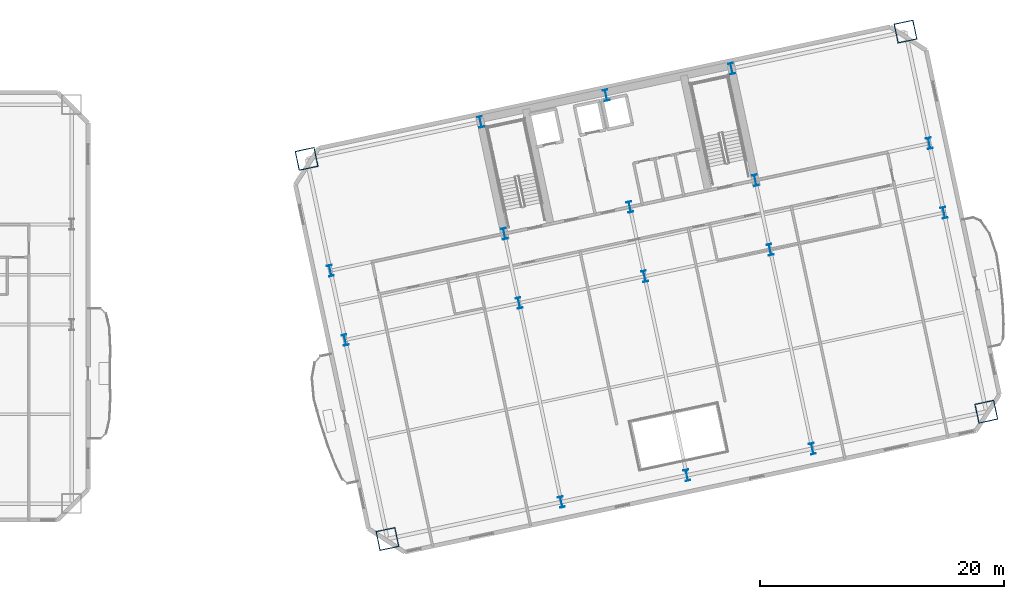
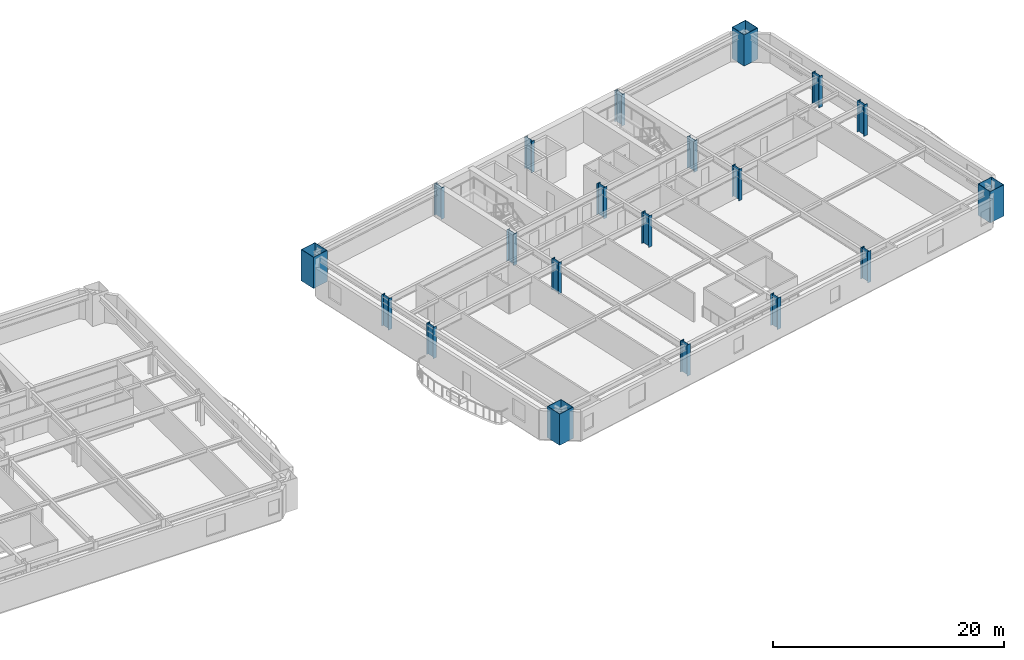
# One storey, part 2 of 16: 20 columns.
"""IFC4 building model written with IfcOpenShell, lengths in metres."""

from ifc_helpers import new_model, si_unit, direction, frame, origin, origin_2d, place, context, subcontext, project, spatial, hollow_rectangle, i_section, extrude, material, material_profile, profile_set, type_object, element, save


model = new_model("IFC4")

# Units and contexts
model_context = context("Model", 3, precision=1e-05, world=origin(), true_north=direction((0.0, 1.0)))
body_context = subcontext(model_context, "Body", "Model", "MODEL_VIEW")
ifc_project = project(units=[si_unit("LENGTHUNIT", "METRE"), si_unit("AREAUNIT", "SQUARE_METRE"), si_unit("VOLUMEUNIT", "CUBIC_METRE"), si_unit("PLANEANGLEUNIT", "RADIAN"), si_unit("MASSUNIT", "GRAM", prefix="KILO")], contexts=[model_context])

# Site, building, storey
site_placement = place(None, origin())
site = spatial("IfcSite", under=ifc_project, at=site_placement, CompositionType="ELEMENT")
building_placement = place(site_placement, origin())
building = spatial("IfcBuilding", under=site, at=building_placement, Name="Haevon Station Towers", CompositionType="ELEMENT")
storey_placement = place(building_placement, frame((0.0, 0.0, 43.800048828125)))
storey = spatial("IfcBuildingStorey", under=building, at=storey_placement, Name="L10", CompositionType="ELEMENT", Elevation=43.800048828125)

# Columns
ifc_material = material(Name="Steel S460", Category="steel")
ifc_material_profile_1 = material_profile(ifc_material, hollow_rectangle(XDim=1.60009765625, YDim=1.60009765625, WallThickness=0.0400390625, at=origin_2d()), Name="BOX-1600x1600x40")
ifc_profile_set_1 = profile_set([ifc_material_profile_1], Name="Steel S460")
column_type_1 = type_object("IfcColumnType", Name="COL-MC1", PredefinedType="COLUMN", material=ifc_profile_set_1)
for number, where, z_axis, x_axis, name in (
    (1, (89.18798828125, 12.457763671875, 0.0), (0.0, 0.0, 1.0), (0.978147600734, 0.207911690818, 0.0), "COL-T2-L10-01-01"),
    (2, (82.576416015625, 43.56298828125, 0.0), (0.0, 0.0, 1.0), (0.978147600734, 0.207911690818, 0.0), "COL-T2-L10-01-04"),
    (3, (138.193115234375, 22.874267578125, 0.0), (0.0, 0.0, 1.0), (0.978147600734, 0.207911690818, 0.0), "COL-T2-L10-05-01"),
    (4, (131.58154296875, 53.979248046875, 0.0), (0.0, 0.0, 1.0), (0.978147600734, 0.207911690818, 0.0), "COL-T2-L10-05-04"),
):
    element("IfcColumn", number, at=place(storey_placement, frame(where, z_axis=z_axis, x_axis=x_axis)), inside=storey, type_object=column_type_1, Name=name, PredefinedType="COLUMN", context=body_context, shape_type="SweptSolid", body=[
        extrude(hollow_rectangle(XDim=1.60009765625, YDim=1.60009765625, WallThickness=0.0400390625, at=origin_2d()), origin(), (0.0, 0.0, 1.0), 3.300048828125),
    ])
ifc_material_profile_2 = material_profile(ifc_material, i_section(OverallWidth=0.39990234375, OverallDepth=0.89990234375, WebThickness=0.02001953125, FlangeThickness=0.035888671875, at=origin_2d()), Name="H-900x400x20x36")
ifc_profile_set_2 = profile_set([ifc_material_profile_2], Name="Steel S460")
column_type_2 = type_object("IfcColumnType", Name="COL-TW1", PredefinedType="COLUMN", material=ifc_profile_set_2)
for number, where, z_axis, x_axis, name in (
    (5, (85.72607421875, 28.744140625, 0.0), (0.0, 0.0, 1.0), (0.978147600734, 0.207911690818, 0.0), "COL-T2-L10-01-02"),
    (6, (84.520263671875, 34.417236328125, 0.0), (0.0, 0.0, 1.0), (0.978147600734, 0.207911690818, 0.0), "COL-T2-L10-01-03"),
    (7, (103.419921875, 15.48291015625, 0.0), (0.0, 0.0, 1.0), (0.978147600734, 0.207911690818, 0.0), "COL-T2-L10-02-01"),
    (8, (99.958251953125, 31.76904296875, 0.0), (0.0, 0.0, 1.0), (0.978147600734, 0.207911690818, 0.0), "COL-T2-L10-02-02"),
    (9, (98.75244140625, 37.4423828125, 0.0), (0.0, 0.0, 1.0), (0.978147600734, 0.207911690818, 0.0), "COL-T2-L10-02-03"),
    (10, (96.808349609375, 46.588134765625, 0.0), (0.0, 0.0, 1.0), (0.978147600734, 0.207911690818, 0.0), "COL-T2-L10-02-04"),
    (11, (113.6904296875, 17.666015625, 0.0), (0.0, 0.0, 1.0), (0.978147600734, 0.207911690818, 0.0), "COL-T2-L10-03-01"),
    (12, (110.228759765625, 33.9521484375, 0.0), (0.0, 0.0, 1.0), (0.978147600734, 0.207911690818, 0.0), "COL-T2-L10-03-02"),
    (13, (109.02294921875, 39.62548828125, 0.0), (0.0, 0.0, 1.0), (0.978147600734, 0.207911690818, 0.0), "COL-T2-L10-03-03"),
    (14, (107.078857421875, 48.771240234375, 0.0), (0.0, 0.0, 1.0), (0.978147600734, 0.207911690818, 0.0), "COL-T2-L10-03-04"),
    (15, (123.961181640625, 19.84912109375, 0.0), (0.0, 0.0, 1.0), (0.978147600734, 0.207911690818, 0.0), "COL-T2-L10-04-01"),
    (16, (120.499267578125, 36.13525390625, 0.0), (0.0, 0.0, 1.0), (0.978147600734, 0.207911690818, 0.0), "COL-T2-L10-04-02"),
    (17, (119.29345703125, 41.80859375, 0.0), (0.0, 0.0, 1.0), (0.978147600734, 0.207911690818, 0.0), "COL-T2-L10-04-03"),
    (18, (117.349365234375, 50.954345703125, 0.0), (0.0, 0.0, 1.0), (0.978147600734, 0.207911690818, 0.0), "COL-T2-L10-04-04"),
    (19, (134.7314453125, 39.160400390625, 0.0), (0.0, 0.0, 1.0), (0.978147600734, 0.207911690818, 0.0), "COL-T2-L10-05-02"),
    (20, (133.525390625, 44.833740234375, 0.0), (0.0, 0.0, 1.0), (0.978147600734, 0.207911690818, 0.0), "COL-T2-L10-05-03"),
):
    element("IfcColumn", number, at=place(storey_placement, frame(where, z_axis=z_axis, x_axis=x_axis)), inside=storey, type_object=column_type_2, Name=name, PredefinedType="COLUMN", context=body_context, shape_type="SweptSolid", body=[
        extrude(i_section(OverallWidth=0.39990234375, OverallDepth=0.89990234375, WebThickness=0.02001953125, FlangeThickness=0.035888671875, at=origin_2d()), origin(), (0.0, 0.0, 1.0), 3.300048828125),
    ])

save(model, "model.ifc")
